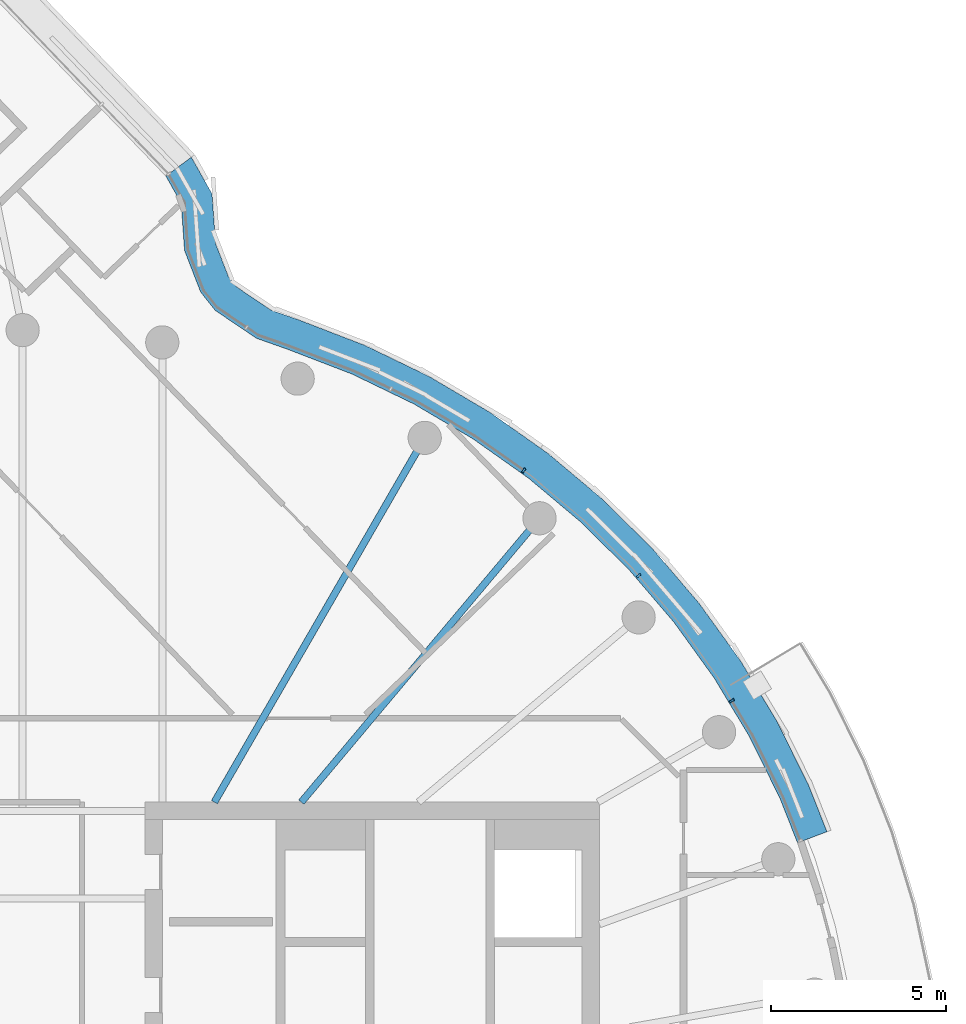
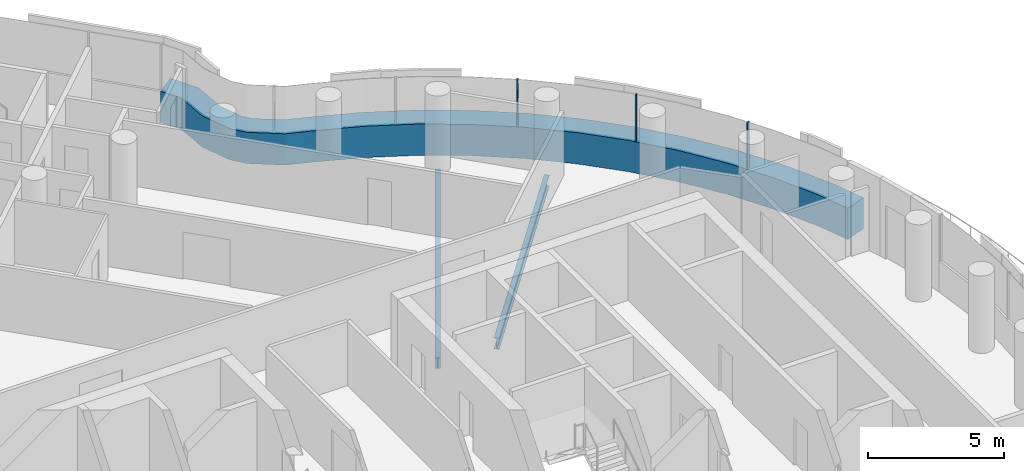
# One storey, part 13 of 34: 4 members, 2 beams, 1 element without a shape of its own.
"""IFC4 building model written with IfcOpenShell, lengths in metres."""

import ifcopenshell
import ifcopenshell.guid

model = None  # the IFC model being written
_history = None  # IfcOwnerHistory: only IFC2X3 demands one
_inside = {}  # id of a spatial element -> (the spatial element, [elements in it])
_under = {}  # id of a project, library or spatial element -> (it, [spatial elements below it])
_declared = {}  # id of a project -> (the project, [libraries it declares])
_typed = {}  # id of a type object -> (the type object, [elements of that type])
_made_of = {}  # id of a material, layer set ... -> (it, [elements and type objects made of it])


def new_model(schema):
    """Start an empty IFC model of exactly this schema.

    Asked for "IFC4X3", IfcOpenShell would pick the latest addendum, in which some entities
    have other attributes; the version numbers below select the first issue.
    IFC2X3 requires an IfcOwnerHistory on every rooted entity: one is made here for all.
    """
    global model, _history
    if schema == "IFC4X3":
        model = ifcopenshell.file(schema_version=(4, 3, 0, 0))
    else:
        model = ifcopenshell.file(schema=schema)
    _inside.clear()
    _under.clear()
    _declared.clear()
    _typed.clear()
    _made_of.clear()
    _history = None
    if model.schema == "IFC2X3":
        org = make("IfcOrganization", Name="unknown")
        user = make(
            "IfcPersonAndOrganization",
            ThePerson=make("IfcPerson", FamilyName="unknown"),
            TheOrganization=org,
        )
        app = make(
            "IfcApplication",
            ApplicationDeveloper=org,
            Version="unknown",
            ApplicationFullName="unknown",
            ApplicationIdentifier="unknown",
        )
        _history = make(
            "IfcOwnerHistory",
            OwningUser=user,
            OwningApplication=app,
            ChangeAction="ADDED",
            CreationDate=0,
        )
    return model


def make(cls, **values):
    """One entity of the class cls with the attributes given. An attribute that is None is left unset."""
    return model.create_entity(
        cls, **{name: value for name, value in values.items() if value is not None}
    )


def rooted(cls, **values):
    """An entity with a GlobalId (a new one), such as an element, a storey or a relation."""
    return make(cls, GlobalId=ifcopenshell.guid.new(), OwnerHistory=_history, **values)


def si_unit(unit_type, name, prefix=None):
    """IfcSIUnit, for example si_unit("LENGTHUNIT", "METRE", prefix="MILLI")."""
    return make("IfcSIUnit", UnitType=unit_type, Prefix=prefix, Name=name)


def assignment(units):
    """IfcUnitAssignment: the units of a project."""
    return None if units is None else make("IfcUnitAssignment", Units=units)


def point(xyz):
    """IfcCartesianPoint."""
    return None if xyz is None else make("IfcCartesianPoint", Coordinates=xyz)


def direction(xyz):
    """IfcDirection."""
    return None if xyz is None else make("IfcDirection", DirectionRatios=xyz)


def frame(location, z_axis=None, x_axis=None):
    """IfcAxis2Placement3D, a coordinate frame: its origin and axes. An axis left out is left unset."""
    return make(
        "IfcAxis2Placement3D",
        Location=point(location),
        Axis=direction(z_axis),
        RefDirection=direction(x_axis),
    )


def frame_2d(location, x_axis=None):
    """IfcAxis2Placement2D, a coordinate frame in the plane: its origin and x axis."""
    return make(
        "IfcAxis2Placement2D", Location=point(location), RefDirection=direction(x_axis)
    )


def origin():
    """The frame at (0, 0, 0) with its axes left unset."""
    return frame((0.0, 0.0, 0.0))


def origin_2d():
    """The frame at (0, 0) in the plane with its x axis left unset."""
    return frame_2d((0.0, 0.0))


def place(relative_to, where):
    """IfcLocalPlacement: puts the frame where relative to a parent placement (None: the world)."""
    return make(
        "IfcLocalPlacement", PlacementRelTo=relative_to, RelativePlacement=where
    )


def context(
    kind, dimensions, precision=None, world=None, true_north=None, identifier=None
):
    """IfcGeometricRepresentationContext, for example the 3D "Model" context."""
    return make(
        "IfcGeometricRepresentationContext",
        ContextIdentifier=identifier,
        ContextType=kind,
        CoordinateSpaceDimension=dimensions,
        Precision=precision,
        WorldCoordinateSystem=world,
        TrueNorth=true_north,
    )


def subcontext(parent, identifier, kind, view, scale=None):
    """IfcGeometricRepresentationSubContext, for example "Body" below "Model"."""
    return make(
        "IfcGeometricRepresentationSubContext",
        ContextIdentifier=identifier,
        ContextType=kind,
        ParentContext=parent,
        TargetScale=scale,
        TargetView=view,
    )


def project(units=None, contexts=None):
    """IfcProject with its units and contexts."""
    return rooted(
        "IfcProject",
        Name="project",
        RepresentationContexts=contexts,
        UnitsInContext=assignment(units),
    )


def spatial(cls, under=None, at=None, **own):
    """A site, building, storey or space (cls), placed at a placement, below another one or the project."""
    s = rooted(cls, ObjectPlacement=at, **own)
    if under is not None:
        _under.setdefault(under.id(), (under, []))[1].append(s)
    return s


def polyline(points):
    """IfcPolyline through the points."""
    return make("IfcPolyline", Points=[point(p) for p in points])


def profile(cls, at=None, kind="AREA", **sizes):
    """A parametric profile (cls). Its sizes go by their IFC names, for example OverallWidth=200.0."""
    return make(cls, ProfileType=kind, Position=at, **sizes)


def rectangle(**sizes):
    """IfcRectangleProfileDef."""
    return profile("IfcRectangleProfileDef", **sizes)


def i_section(**sizes):
    """IfcIShapeProfileDef."""
    return profile("IfcIShapeProfileDef", **sizes)


def outline(outer, holes=None, kind="AREA"):
    """IfcArbitraryClosedProfileDef: a profile drawn as a closed curve; with holes, ...WithVoids."""
    if holes is None:
        return make("IfcArbitraryClosedProfileDef", ProfileType=kind, OuterCurve=outer)
    return make(
        "IfcArbitraryProfileDefWithVoids",
        ProfileType=kind,
        OuterCurve=outer,
        InnerCurves=holes,
    )


def extrude(swept, where, along, depth):
    """IfcExtrudedAreaSolid: the profile swept, set in the frame where, extruded along a direction by depth."""
    return make(
        "IfcExtrudedAreaSolid",
        SweptArea=swept,
        Position=where,
        ExtrudedDirection=direction(along),
        Depth=depth,
    )


def shape(context_of_items, identifier, shape_type, items):
    """IfcShapeRepresentation: the items that make up one representation, for example the "Body"."""
    return make(
        "IfcShapeRepresentation",
        ContextOfItems=context_of_items,
        RepresentationIdentifier=identifier,
        RepresentationType=shape_type,
        Items=items,
    )


def material(Name=None, Category=None):
    """IfcMaterial."""
    return make("IfcMaterial", Name=Name, Category=Category)


def layer(
    of_material, thickness, ventilated=None, Name=None, Category=None, Priority=None
):
    """IfcMaterialLayer: one layer of a wall or slab, of a material (None: an air gap)."""
    return make(
        "IfcMaterialLayer",
        Material=of_material,
        LayerThickness=thickness,
        IsVentilated=ventilated,
        Name=Name,
        Category=Category,
        Priority=Priority,
    )


def layer_set(layers, Name=None):
    """IfcMaterialLayerSet."""
    return make("IfcMaterialLayerSet", MaterialLayers=layers, LayerSetName=Name)


def material_profile(
    of_material, cross_section, Name=None, Category=None, Priority=None
):
    """IfcMaterialProfile: a cross section and its material."""
    return make(
        "IfcMaterialProfile",
        Name=Name,
        Material=of_material,
        Profile=cross_section,
        Priority=Priority,
        Category=Category,
    )


def profile_set(profiles, Name=None, composite=None):
    """IfcMaterialProfileSet."""
    return make(
        "IfcMaterialProfileSet",
        Name=Name,
        MaterialProfiles=profiles,
        CompositeProfile=composite,
    )


def made_of(thing, what):
    """Note that an element or type object is made of a material, layer set ...; save() writes the relation."""
    if what is not None:
        _made_of.setdefault(what.id(), (what, []))[1].append(thing)
    return thing


def type_object(cls, material=None, **own):
    """A type object (cls), such as IfcWallType, which elements share."""
    return made_of(rooted(cls, **own), material)


def element(
    cls,
    number,
    at=None,
    inside=None,
    cuts=None,
    type_object=None,
    material=None,
    context=None,
    identifier="Body",
    shape_type=None,
    held_by="IfcProductDefinitionShape",
    body=None,
    shapes=None,
    **own,
):
    """One element of the class cls, such as IfcWall. Its Tag is "e" and its number.

    at: its placement. inside: the storey or other place that contains it. cuts: it is an
    opening in that element (IfcRelVoidsElement). A single representation is given by context,
    identifier, shape_type and body (its items); several are given by shapes. held_by: the class
    of the entity that holds the representations. save() writes the other relations.
    """
    e = rooted(cls, Tag="e%d" % number, ObjectPlacement=at, **own)
    if body is not None:
        shapes = [shape(context, identifier, shape_type, body)]
    if shapes is not None:
        e.Representation = make(held_by, Representations=shapes)
    if inside is not None:
        _inside.setdefault(inside.id(), (inside, []))[1].append(e)
    if cuts is not None:
        rooted(
            "IfcRelVoidsElement", RelatingBuildingElement=cuts, RelatedOpeningElement=e
        )
    if type_object is not None:
        _typed.setdefault(type_object.id(), (type_object, []))[1].append(e)
    return made_of(e, material)


def aggregate(whole, parts):
    """IfcRelAggregates: a whole, such as a stair, and the parts it consists of."""
    return rooted("IfcRelAggregates", RelatingObject=whole, RelatedObjects=parts)


def save(model, path):
    """Write the relations noted so far, then the file.

    IfcRelAggregates (storeys below a building ...), IfcRelContainedInSpatialStructure (elements
    in a storey), IfcRelDefinesByType, IfcRelAssociatesMaterial and IfcRelDeclares: one each for
    every whole, place, type object, material and project.
    """
    for whole, parts in _under.values():
        aggregate(whole, parts)
    for where, things in _inside.values():
        rooted(
            "IfcRelContainedInSpatialStructure",
            RelatedElements=things,
            RelatingStructure=where,
        )
    for kind, things in _typed.values():
        rooted("IfcRelDefinesByType", RelatedObjects=things, RelatingType=kind)
    for what, things in _made_of.values():
        rooted("IfcRelAssociatesMaterial", RelatedObjects=things, RelatingMaterial=what)
    for by, libraries in _declared.values():
        rooted("IfcRelDeclares", RelatingContext=by, RelatedDefinitions=libraries)
    model.write(path)


model = new_model("IFC4")

# Units and contexts
model_context = context("Model", 3, precision=1e-05, world=origin(), true_north=direction((0.0, 1.0)))
body_context = subcontext(model_context, "Body", "Model", "MODEL_VIEW")
ifc_project = project(units=[si_unit("LENGTHUNIT", "METRE"), si_unit("AREAUNIT", "SQUARE_METRE"), si_unit("VOLUMEUNIT", "CUBIC_METRE"), si_unit("PLANEANGLEUNIT", "RADIAN"), si_unit("MASSUNIT", "GRAM", prefix="KILO")], contexts=[model_context])

# Site, building, storey
site_placement = place(None, origin())
site = spatial("IfcSite", under=ifc_project, at=site_placement, CompositionType="ELEMENT")
building_placement = place(site_placement, origin())
building = spatial("IfcBuilding", under=site, at=building_placement, Name="Tamarind Cross Interchange Tower", CompositionType="ELEMENT")
storey_placement = place(building_placement, frame((0.0, 0.0, 193.300048828125)))
storey = spatial("IfcBuildingStorey", under=building, at=storey_placement, Name="L48", CompositionType="ELEMENT", Elevation=193.300048828125)

# Beams
ifc_material_1 = material(Name="Steel Q355B", Category="steel")
ifc_material_profile_1 = material_profile(ifc_material_1, i_section(OverallWidth=0.198974609375, OverallDepth=0.49609375, WebThickness=0.009033203125, FlangeThickness=0.013916015625, FilletRadius=0.012939453125, at=origin_2d()), Name="HN 496x199x9x14")
ifc_profile_set_1 = profile_set([ifc_material_profile_1], Name="Steel Q355B")
beam_type = type_object("IfcBeamType", Name="Composite beam HN 496x199x9x14 Q355B", PredefinedType="BEAM", material=ifc_profile_set_1)
beam_1_placement = place(storey_placement, frame((14.7841796875, 17.619140625, -0.387939453125), z_axis=(-0.642786293979, -0.766045547127, 0.0), x_axis=(0.766045547127, -0.642786293979, 0.0)))
element("IfcBeam", 1, at=beam_1_placement, inside=storey, type_object=beam_type, Name="Beam HH05", PredefinedType="BEAM", context=body_context, shape_type="SweptSolid", body=[
    extrude(i_section(OverallWidth=0.198974609375, OverallDepth=0.49609375, WebThickness=0.009033203125, FlangeThickness=0.013916015625, FilletRadius=0.012939453125, at=origin_2d()), origin(), (0.0, 0.0, 1.0), 10.598876953125),
])
beam_2_placement = place(storey_placement, frame((11.5, 19.918701171875, -0.387939453125), z_axis=(-0.499993565836, -0.866029118519, 0.0), x_axis=(0.866029118519, -0.499993565836, 0.0)))
element("IfcBeam", 2, at=beam_2_placement, inside=storey, type_object=beam_type, Name="Beam HH06", PredefinedType="BEAM", context=body_context, shape_type="SweptSolid", body=[
    extrude(i_section(OverallWidth=0.198974609375, OverallDepth=0.49609375, WebThickness=0.009033203125, FlangeThickness=0.013916015625, FilletRadius=0.012939453125, at=origin_2d()), origin(), (0.0, 0.0, 1.0), 12.030517578125),
])

# Curtain wall, members
ifc_material_2 = material(Name="Aluminium 6063-T6", Category="aluminium")
ifc_layer = layer(ifc_material_2, 0.139892578125)
ifc_layer_set = layer_set([ifc_layer], Name="Aluminium 6063-T6")
curtain_wall_type = type_object("IfcCurtainWallType", Name="Hotel curtain wall, 4.5 m bays", PredefinedType="NOTDEFINED", material=ifc_layer_set)
curtain_wall_placement = place(storey_placement, origin())
curtain_wall = element("IfcCurtainWall", 3, at=curtain_wall_placement, inside=storey, type_object=curtain_wall_type, Name="CWS-L48-06", PredefinedType="NOTDEFINED")
ifc_material_3 = material(Name="Aluminium and insulated spandrel panel", Category="aluminium")
member_type_1 = type_object("IfcMemberType", Name="Floor-edge blade transom", PredefinedType="USERDEFINED", material=ifc_material_3)
member_1_placement = place(storey_placement, origin())
member_1 = element("IfcMember", 4, at=member_1_placement, type_object=member_type_1, Name="CWT-L48-06-1", ObjectType="TRANSOM", PredefinedType="USERDEFINED", context=body_context, shape_type="SweptSolid", body=[
    extrude(outline(polyline([(22.1630859375, 8.335205078125), (21.65869140625, 9.61181640625), (20.791015625, 11.367431640625), (19.78125, 13.045654296875), (18.636474609375, 14.634521484375), (17.3642578125, 16.12353515625), (15.973388671875, 17.50244140625), (14.4736328125, 18.76171875), (12.874755859375, 19.892822265625), (11.188232421875, 20.88818359375), (9.425048828125, 21.74072265625), (7.58984375, 22.447509765625), (6.691650390625, 22.764404296875), (5.5126953125, 23.5595703125), (5.0908203125, 24.088623046875), (4.630859375, 25.27734375), (4.53369140625, 26.6328125), (4.095947265625, 27.406494140625), (4.823486328125, 27.948486328125), (5.416748046875, 26.8994140625), (5.518798828125, 25.476318359375), (5.88037109375, 24.5419921875), (6.13037109375, 24.228759765625), (7.099609375, 23.574951171875), (7.9013671875, 23.2919921875), (9.783203125, 22.567138671875), (11.613525390625, 21.68212890625), (13.3642578125, 20.64892578125), (15.023681640625, 19.474853515625), (16.580810546875, 18.167724609375), (18.0244140625, 16.736572265625), (19.344970703125, 15.19091796875), (20.533203125, 13.54150390625), (21.581298828125, 11.799560546875), (22.482177734375, 9.97705078125), (23.005615234375, 8.652099609375), (22.1630859375, 8.335205078125)])), origin(), (0.0, 0.0, 1.0), 1.39990234375),
])
ifc_material_profile_2 = material_profile(ifc_material_2, rectangle(XDim=0.06005859375, YDim=0.139892578125, at=origin_2d()), Name="Mullion CW2")
ifc_profile_set_2 = profile_set([ifc_material_profile_2], Name="Aluminium 6063-T6")
member_type_2 = type_object("IfcMemberType", Name="Mullion CW2", PredefinedType="MULLION", material=ifc_profile_set_2)
member_2_placement = place(storey_placement, frame((20.284912109375, 12.402587890625, 1.39990234375), z_axis=(0.0, 0.0, 1.0), x_axis=(-0.515577308909, 0.856843065292, 0.0)))
member_2 = element("IfcMember", 5, at=member_2_placement, type_object=member_type_2, Name="CWM-L48-06-09", PredefinedType="MULLION", context=body_context, shape_type="SweptSolid", body=[
    extrude(rectangle(XDim=0.06005859375, YDim=0.139892578125, at=origin_2d()), origin(), (0.0, 0.0, 1.0), 2.06005859375),
])
member_3_placement = place(storey_placement, frame((17.6201171875, 15.97802734375, 1.39990234375), z_axis=(0.0, 0.0, 1.0), x_axis=(-0.64957723968, 0.760295606781, 0.0)))
member_3 = element("IfcMember", 6, at=member_3_placement, type_object=member_type_2, Name="CWM-L48-06-10", PredefinedType="MULLION", context=body_context, shape_type="SweptSolid", body=[
    extrude(rectangle(XDim=0.06005859375, YDim=0.139892578125, at=origin_2d()), origin(), (0.0, 0.0, 1.0), 2.06005859375),
])
member_4_placement = place(storey_placement, frame((14.3291015625, 18.986572265625, 1.39990234375), z_axis=(0.0, 0.0, 1.0), x_axis=(-0.816341886298, 0.577568978284, 0.0)))
member_4 = element("IfcMember", 7, at=member_4_placement, type_object=member_type_2, Name="CWM-L48-06-11", PredefinedType="MULLION", context=body_context, shape_type="SweptSolid", body=[
    extrude(rectangle(XDim=0.06005859375, YDim=0.139892578125, at=origin_2d()), origin(), (0.0, 0.0, 1.0), 2.06005859375),
])
aggregate(curtain_wall, [member_2, member_3, member_4, member_1])

save(model, "model.ifc")
